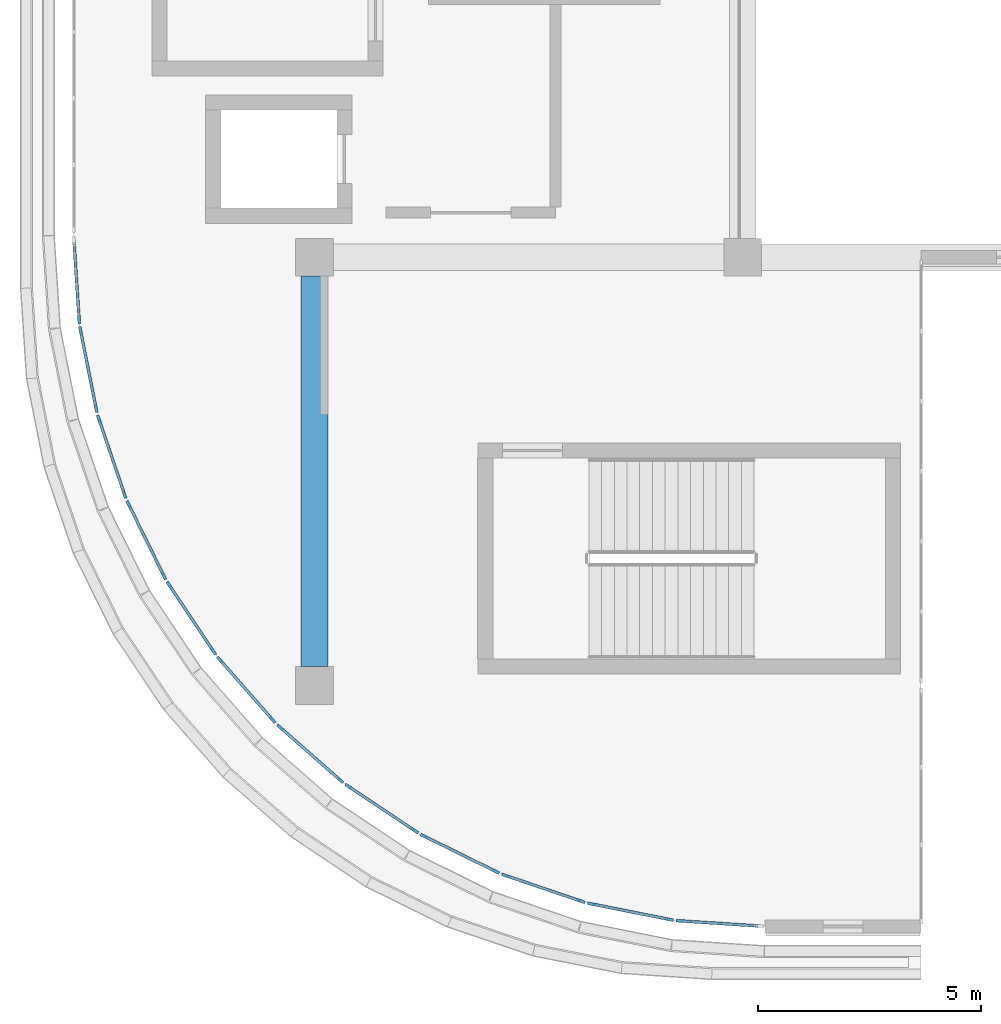
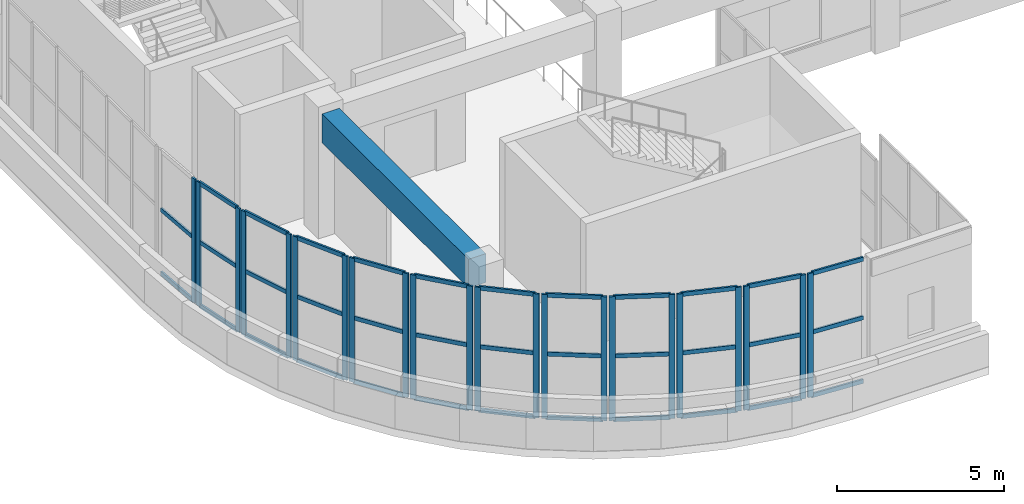
# One storey, part 2 of 67: 57 members, 1 beam, 12 elements without a shape of their own.
"""IFC4 building model written with IfcOpenShell, lengths in metres."""

from ifc_helpers import new_model, si_unit, direction, frame, origin, origin_2d, place, context, subcontext, project, spatial, rectangle, extrude, material, layer, layer_set, material_profile, profile_set, type_object, element, aggregate, save


model = new_model("IFC4")

# Units and contexts
model_context = context("Model", 3, precision=1e-05, world=origin(), true_north=direction((0.0, 1.0)))
body_context = subcontext(model_context, "Body", "Model", "MODEL_VIEW")
ifc_project = project(units=[si_unit("LENGTHUNIT", "METRE"), si_unit("AREAUNIT", "SQUARE_METRE"), si_unit("VOLUMEUNIT", "CUBIC_METRE"), si_unit("PLANEANGLEUNIT", "RADIAN"), si_unit("MASSUNIT", "GRAM", prefix="KILO")], contexts=[model_context])

# Site, building, storey
site_placement = place(None, origin())
site = spatial("IfcSite", under=ifc_project, at=site_placement, CompositionType="ELEMENT")
building_placement = place(site_placement, origin())
building = spatial("IfcBuilding", under=site, at=building_placement, Name="Cendralis Terraced Arcade", CompositionType="ELEMENT")
storey_placement = place(building_placement, frame((0.0, 0.0, 15.0)))
storey = spatial("IfcBuildingStorey", under=building, at=storey_placement, Name="L03", CompositionType="ELEMENT", Elevation=15.0)

# Beam
ifc_material_1 = material(Name="Concrete f'c 35 MPa", Category="concrete")
ifc_material_profile_1 = material_profile(ifc_material_1, rectangle(XDim=0.60009765625, YDim=1.050048828125, at=origin_2d()), Name="RC-BM-600x1050", Category="LoadBearing")
ifc_profile_set_1 = profile_set([ifc_material_profile_1], Name="Concrete f'c 35 MPa")
beam_type = type_object("IfcBeamType", Name="BM-600x1050", PredefinedType="JOIST", material=ifc_profile_set_1)
beam_placement = place(storey_placement, frame((9.60009765625, 10.02490234375, 3.9951171875), z_axis=(0.0, 1.0, 0.0), x_axis=(-1.0, 0.0, 0.0)))
element("IfcBeam", 1, at=beam_placement, inside=storey, type_object=beam_type, Name="Reinforced Concrete Frame Beam BM-Y-L04-2-B_C", PredefinedType="JOIST", context=body_context, shape_type="SweptSolid", body=[
    extrude(rectangle(XDim=0.60009765625, YDim=1.050048828125, at=origin_2d()), origin(), (0.0, 0.0, 1.0), 8.75),
])

# Curtain wall, member
ifc_material_2 = material(Name="Anodised aluminium EN AW-6063 T6", Category="aluminium")
ifc_layer = layer(ifc_material_2, 0.179931640625, Name="CW-UNIT-A")
ifc_layer_set = layer_set([ifc_layer], Name="Anodised aluminium EN AW-6063 T6")
curtain_wall_type = type_object("IfcCurtainWallType", Name="CW-UNIT-A", PredefinedType="USERDEFINED", material=ifc_layer_set)
curtain_wall_1_placement = place(storey_placement, origin())
curtain_wall_1 = element("IfcCurtainWall", 2, at=curtain_wall_1_placement, inside=storey, type_object=curtain_wall_type, Name="Exterior Unitised Facade CW-L03-0285", ObjectType="UNITISED FACADE", PredefinedType="USERDEFINED")
ifc_material_profile_2 = material_profile(ifc_material_2, rectangle(XDim=0.06494140625, YDim=0.179931640625, at=origin_2d()), Name="ALU-MUL-65x180")
ifc_profile_set_2 = profile_set([ifc_material_profile_2], Name="Anodised aluminium EN AW-6063 T6")
member_type_1 = type_object("IfcMemberType", Name="CW-UNIT-A-MUL", PredefinedType="MULLION", material=ifc_profile_set_2)
member_1_placement = place(storey_placement, frame((17.799072265625, 4.324462890625, 0.0), z_axis=(0.0, 0.0, 1.0), x_axis=(-0.065383766124, -0.997860192175, 0.0)))
member_1 = element("IfcMember", 3, at=member_1_placement, type_object=member_type_1, Name="CW-U1 mullion 2", PredefinedType="MULLION", context=body_context, shape_type="SweptSolid", body=[
    extrude(rectangle(XDim=0.06494140625, YDim=0.179931640625, at=origin_2d()), origin(), (0.0, 0.0, 1.0), 4.52001953125),
])

# Curtain wall, members
curtain_wall_2_placement = place(storey_placement, origin())
curtain_wall_2 = element("IfcCurtainWall", 4, at=curtain_wall_2_placement, inside=storey, type_object=curtain_wall_type, Name="Exterior Unitised Facade CW-L03-0286", ObjectType="UNITISED FACADE", PredefinedType="USERDEFINED")
member_2_placement = place(storey_placement, frame((17.556640625, 4.3564453125, 0.0), z_axis=(0.0, 0.0, 1.0), x_axis=(-0.195033398913, -0.980796601395, 0.0)))
member_2 = element("IfcMember", 5, at=member_2_placement, type_object=member_type_1, Name="CW-U1 mullion 1", PredefinedType="MULLION", context=body_context, shape_type="SweptSolid", body=[
    extrude(rectangle(XDim=0.06494140625, YDim=0.179931640625, at=origin_2d()), origin(), (0.0, 0.0, 1.0), 4.52001953125),
])
member_3_placement = place(storey_placement, frame((15.80859375, 4.7041015625, 0.0), z_axis=(0.0, 0.0, 1.0), x_axis=(-0.195033398913, -0.980796601395, 0.0)))
member_3 = element("IfcMember", 6, at=member_3_placement, type_object=member_type_1, Name="CW-U1 mullion 2", PredefinedType="MULLION", context=body_context, shape_type="SweptSolid", body=[
    extrude(rectangle(XDim=0.06494140625, YDim=0.179931640625, at=origin_2d()), origin(), (0.0, 0.0, 1.0), 4.52001953125),
])

curtain_wall_3_placement = place(storey_placement, origin())
curtain_wall_3 = element("IfcCurtainWall", 7, at=curtain_wall_3_placement, inside=storey, type_object=curtain_wall_type, Name="Exterior Unitised Facade CW-L03-0287", ObjectType="UNITISED FACADE", PredefinedType="USERDEFINED")
member_4_placement = place(storey_placement, frame((15.572265625, 4.767333984375, 0.0), z_axis=(0.0, 0.0, 1.0), x_axis=(-0.32150002033, -0.946909571674, 0.0)))
member_4 = element("IfcMember", 8, at=member_4_placement, type_object=member_type_1, Name="CW-U1 mullion 1", PredefinedType="MULLION", context=body_context, shape_type="SweptSolid", body=[
    extrude(rectangle(XDim=0.06494140625, YDim=0.179931640625, at=origin_2d()), origin(), (0.0, 0.0, 1.0), 4.52001953125),
])
member_5_placement = place(storey_placement, frame((13.88427734375, 5.340576171875, 0.0), z_axis=(0.0, 0.0, 1.0), x_axis=(-0.32150002033, -0.946909571674, 0.0)))
member_5 = element("IfcMember", 9, at=member_5_placement, type_object=member_type_1, Name="CW-U1 mullion 2", PredefinedType="MULLION", context=body_context, shape_type="SweptSolid", body=[
    extrude(rectangle(XDim=0.06494140625, YDim=0.179931640625, at=origin_2d()), origin(), (0.0, 0.0, 1.0), 4.52001953125),
])

curtain_wall_4_placement = place(storey_placement, origin())
curtain_wall_4 = element("IfcCurtainWall", 10, at=curtain_wall_4_placement, inside=storey, type_object=curtain_wall_type, Name="Exterior Unitised Facade CW-L03-0288", ObjectType="UNITISED FACADE", PredefinedType="USERDEFINED")
member_6_placement = place(storey_placement, frame((13.658447265625, 5.43408203125, 0.0), z_axis=(0.0, 0.0, 1.0), x_axis=(-0.442270416572, -0.896881752867, 0.0)))
member_6 = element("IfcMember", 11, at=member_6_placement, type_object=member_type_1, Name="CW-U1 mullion 1", PredefinedType="MULLION", context=body_context, shape_type="SweptSolid", body=[
    extrude(rectangle(XDim=0.06494140625, YDim=0.179931640625, at=origin_2d()), origin(), (0.0, 0.0, 1.0), 4.52001953125),
])
member_7_placement = place(storey_placement, frame((12.059814453125, 6.222412109375, 0.0), z_axis=(0.0, 0.0, 1.0), x_axis=(-0.442270416572, -0.896881752867, 0.0)))
member_7 = element("IfcMember", 12, at=member_7_placement, type_object=member_type_1, Name="CW-U1 mullion 2", PredefinedType="MULLION", context=body_context, shape_type="SweptSolid", body=[
    extrude(rectangle(XDim=0.06494140625, YDim=0.179931640625, at=origin_2d()), origin(), (0.0, 0.0, 1.0), 4.52001953125),
])

curtain_wall_5_placement = place(storey_placement, origin())
curtain_wall_5 = element("IfcCurtainWall", 13, at=curtain_wall_5_placement, inside=storey, type_object=curtain_wall_type, Name="Exterior Unitised Facade CW-L03-0289", ObjectType="UNITISED FACADE", PredefinedType="USERDEFINED")
member_8_placement = place(storey_placement, frame((11.84814453125, 6.3447265625, 0.0), z_axis=(0.0, 0.0, 1.0), x_axis=(-0.555549269065, -0.831483619587, 0.0)))
member_8 = element("IfcMember", 14, at=member_8_placement, type_object=member_type_1, Name="CW-U1 mullion 1", PredefinedType="MULLION", context=body_context, shape_type="SweptSolid", body=[
    extrude(rectangle(XDim=0.06494140625, YDim=0.179931640625, at=origin_2d()), origin(), (0.0, 0.0, 1.0), 4.52001953125),
])
member_9_placement = place(storey_placement, frame((10.365966796875, 7.3349609375, 0.0), z_axis=(0.0, 0.0, 1.0), x_axis=(-0.555549269065, -0.831483619587, 0.0)))
member_9 = element("IfcMember", 15, at=member_9_placement, type_object=member_type_1, Name="CW-U1 mullion 2", PredefinedType="MULLION", context=body_context, shape_type="SweptSolid", body=[
    extrude(rectangle(XDim=0.06494140625, YDim=0.179931640625, at=origin_2d()), origin(), (0.0, 0.0, 1.0), 4.52001953125),
])

curtain_wall_6_placement = place(storey_placement, origin())
curtain_wall_6 = element("IfcCurtainWall", 16, at=curtain_wall_6_placement, inside=storey, type_object=curtain_wall_type, Name="Exterior Unitised Facade CW-L03-0290", ObjectType="UNITISED FACADE", PredefinedType="USERDEFINED")
member_10_placement = place(storey_placement, frame((10.172119140625, 7.483642578125, 0.0), z_axis=(0.0, 0.0, 1.0), x_axis=(-0.659370197402, -0.751818424075, 0.0)))
member_10 = element("IfcMember", 17, at=member_10_placement, type_object=member_type_1, Name="CW-U1 mullion 1", PredefinedType="MULLION", context=body_context, shape_type="SweptSolid", body=[
    extrude(rectangle(XDim=0.06494140625, YDim=0.179931640625, at=origin_2d()), origin(), (0.0, 0.0, 1.0), 4.52001953125),
])
member_11_placement = place(storey_placement, frame((8.83203125, 8.6591796875, 0.0), z_axis=(0.0, 0.0, 1.0), x_axis=(-0.659370197402, -0.751818424075, 0.0)))
member_11 = element("IfcMember", 18, at=member_11_placement, type_object=member_type_1, Name="CW-U1 mullion 2", PredefinedType="MULLION", context=body_context, shape_type="SweptSolid", body=[
    extrude(rectangle(XDim=0.06494140625, YDim=0.179931640625, at=origin_2d()), origin(), (0.0, 0.0, 1.0), 4.52001953125),
])

curtain_wall_7_placement = place(storey_placement, origin())
curtain_wall_7 = element("IfcCurtainWall", 19, at=curtain_wall_7_placement, inside=storey, type_object=curtain_wall_type, Name="Exterior Unitised Facade CW-L03-0291", ObjectType="UNITISED FACADE", PredefinedType="USERDEFINED")
member_12_placement = place(storey_placement, frame((8.6591796875, 8.83203125, 0.0), z_axis=(0.0, 0.0, 1.0), x_axis=(-0.751818424075, -0.659370197402, 0.0)))
member_12 = element("IfcMember", 20, at=member_12_placement, type_object=member_type_1, Name="CW-U1 mullion 1", PredefinedType="MULLION", context=body_context, shape_type="SweptSolid", body=[
    extrude(rectangle(XDim=0.06494140625, YDim=0.179931640625, at=origin_2d()), origin(), (0.0, 0.0, 1.0), 4.52001953125),
])
member_13_placement = place(storey_placement, frame((7.483642578125, 10.172119140625, 0.0), z_axis=(0.0, 0.0, 1.0), x_axis=(-0.751818424075, -0.659370197402, 0.0)))
member_13 = element("IfcMember", 21, at=member_13_placement, type_object=member_type_1, Name="CW-U1 mullion 2", PredefinedType="MULLION", context=body_context, shape_type="SweptSolid", body=[
    extrude(rectangle(XDim=0.06494140625, YDim=0.179931640625, at=origin_2d()), origin(), (0.0, 0.0, 1.0), 4.52001953125),
])

curtain_wall_8_placement = place(storey_placement, origin())
curtain_wall_8 = element("IfcCurtainWall", 22, at=curtain_wall_8_placement, inside=storey, type_object=curtain_wall_type, Name="Exterior Unitised Facade CW-L03-0292", ObjectType="UNITISED FACADE", PredefinedType="USERDEFINED")
member_14_placement = place(storey_placement, frame((7.3349609375, 10.365966796875, 0.0), z_axis=(0.0, 0.0, 1.0), x_axis=(-0.831483619587, -0.555549269065, 0.0)))
member_14 = element("IfcMember", 23, at=member_14_placement, type_object=member_type_1, Name="CW-U1 mullion 1", PredefinedType="MULLION", context=body_context, shape_type="SweptSolid", body=[
    extrude(rectangle(XDim=0.06494140625, YDim=0.179931640625, at=origin_2d()), origin(), (0.0, 0.0, 1.0), 4.52001953125),
])
member_15_placement = place(storey_placement, frame((6.3447265625, 11.84814453125, 0.0), z_axis=(0.0, 0.0, 1.0), x_axis=(-0.831483619587, -0.555549269065, 0.0)))
member_15 = element("IfcMember", 24, at=member_15_placement, type_object=member_type_1, Name="CW-U1 mullion 2", PredefinedType="MULLION", context=body_context, shape_type="SweptSolid", body=[
    extrude(rectangle(XDim=0.06494140625, YDim=0.179931640625, at=origin_2d()), origin(), (0.0, 0.0, 1.0), 4.52001953125),
])

curtain_wall_9_placement = place(storey_placement, origin())
curtain_wall_9 = element("IfcCurtainWall", 25, at=curtain_wall_9_placement, inside=storey, type_object=curtain_wall_type, Name="Exterior Unitised Facade CW-L03-0293", ObjectType="UNITISED FACADE", PredefinedType="USERDEFINED")
member_16_placement = place(storey_placement, frame((6.222412109375, 12.059814453125, 0.0), z_axis=(0.0, 0.0, 1.0), x_axis=(-0.896881752867, -0.442270416572, 0.0)))
member_16 = element("IfcMember", 26, at=member_16_placement, type_object=member_type_1, Name="CW-U1 mullion 1", PredefinedType="MULLION", context=body_context, shape_type="SweptSolid", body=[
    extrude(rectangle(XDim=0.06494140625, YDim=0.179931640625, at=origin_2d()), origin(), (0.0, 0.0, 1.0), 4.52001953125),
])
member_17_placement = place(storey_placement, frame((5.43408203125, 13.658447265625, 0.0), z_axis=(0.0, 0.0, 1.0), x_axis=(-0.896881752867, -0.442270416572, 0.0)))
member_17 = element("IfcMember", 27, at=member_17_placement, type_object=member_type_1, Name="CW-U1 mullion 2", PredefinedType="MULLION", context=body_context, shape_type="SweptSolid", body=[
    extrude(rectangle(XDim=0.06494140625, YDim=0.179931640625, at=origin_2d()), origin(), (0.0, 0.0, 1.0), 4.52001953125),
])

curtain_wall_10_placement = place(storey_placement, origin())
curtain_wall_10 = element("IfcCurtainWall", 28, at=curtain_wall_10_placement, inside=storey, type_object=curtain_wall_type, Name="Exterior Unitised Facade CW-L03-0294", ObjectType="UNITISED FACADE", PredefinedType="USERDEFINED")
member_18_placement = place(storey_placement, frame((5.340576171875, 13.88427734375, 0.0), z_axis=(0.0, 0.0, 1.0), x_axis=(-0.946909571674, -0.32150002033, 0.0)))
member_18 = element("IfcMember", 29, at=member_18_placement, type_object=member_type_1, Name="CW-U1 mullion 1", PredefinedType="MULLION", context=body_context, shape_type="SweptSolid", body=[
    extrude(rectangle(XDim=0.06494140625, YDim=0.179931640625, at=origin_2d()), origin(), (0.0, 0.0, 1.0), 4.52001953125),
])
member_19_placement = place(storey_placement, frame((4.767333984375, 15.572265625, 0.0), z_axis=(0.0, 0.0, 1.0), x_axis=(-0.946909571674, -0.32150002033, 0.0)))
member_19 = element("IfcMember", 30, at=member_19_placement, type_object=member_type_1, Name="CW-U1 mullion 2", PredefinedType="MULLION", context=body_context, shape_type="SweptSolid", body=[
    extrude(rectangle(XDim=0.06494140625, YDim=0.179931640625, at=origin_2d()), origin(), (0.0, 0.0, 1.0), 4.52001953125),
])

curtain_wall_11_placement = place(storey_placement, origin())
curtain_wall_11 = element("IfcCurtainWall", 31, at=curtain_wall_11_placement, inside=storey, type_object=curtain_wall_type, Name="Exterior Unitised Facade CW-L03-0295", ObjectType="UNITISED FACADE", PredefinedType="USERDEFINED")
member_20_placement = place(storey_placement, frame((4.7041015625, 15.80859375, 0.0), z_axis=(0.0, 0.0, 1.0), x_axis=(-0.980796601395, -0.195033398913, 0.0)))
member_20 = element("IfcMember", 32, at=member_20_placement, type_object=member_type_1, Name="CW-U1 mullion 1", PredefinedType="MULLION", context=body_context, shape_type="SweptSolid", body=[
    extrude(rectangle(XDim=0.06494140625, YDim=0.179931640625, at=origin_2d()), origin(), (0.0, 0.0, 1.0), 4.52001953125),
])
member_21_placement = place(storey_placement, frame((4.3564453125, 17.556640625, 0.0), z_axis=(0.0, 0.0, 1.0), x_axis=(-0.980796601395, -0.195033398913, 0.0)))
member_21 = element("IfcMember", 33, at=member_21_placement, type_object=member_type_1, Name="CW-U1 mullion 2", PredefinedType="MULLION", context=body_context, shape_type="SweptSolid", body=[
    extrude(rectangle(XDim=0.06494140625, YDim=0.179931640625, at=origin_2d()), origin(), (0.0, 0.0, 1.0), 4.52001953125),
])

# Curtain wall, member
curtain_wall_12_placement = place(storey_placement, origin())
curtain_wall_12 = element("IfcCurtainWall", 34, at=curtain_wall_12_placement, inside=storey, type_object=curtain_wall_type, Name="Exterior Unitised Facade CW-L03-0296", ObjectType="UNITISED FACADE", PredefinedType="USERDEFINED")
member_22_placement = place(storey_placement, frame((4.324462890625, 17.799072265625, 0.0), z_axis=(0.0, 0.0, 1.0), x_axis=(-0.997860192175, -0.065383766124, 0.0)))
member_22 = element("IfcMember", 35, at=member_22_placement, type_object=member_type_1, Name="CW-U1 mullion 1", PredefinedType="MULLION", context=body_context, shape_type="SweptSolid", body=[
    extrude(rectangle(XDim=0.06494140625, YDim=0.179931640625, at=origin_2d()), origin(), (0.0, 0.0, 1.0), 4.52001953125),
])

# Member
ifc_material_profile_3 = material_profile(ifc_material_2, rectangle(XDim=0.06494140625, YDim=0.14990234375, at=origin_2d()), Name="ALU-TRN-65x150")
ifc_profile_set_3 = profile_set([ifc_material_profile_3], Name="Anodised aluminium EN AW-6063 T6")
member_type_2 = type_object("IfcMemberType", Name="CW-UNIT-A-TRN", PredefinedType="USERDEFINED", material=ifc_profile_set_3)
member_23_placement = place(storey_placement, frame((19.54541015625, 4.210205078125, 0.032470703125), z_axis=(-0.997859990953, 0.065386837014, 0.0), x_axis=(-0.065386837014, -0.997859990953, 0.0)))
member_23 = element("IfcMember", 36, at=member_23_placement, type_object=member_type_2, Name="CW-U1 transom 1.1", ObjectType="TRANSOM", PredefinedType="USERDEFINED", context=body_context, shape_type="SweptSolid", body=[
    extrude(rectangle(XDim=0.06494140625, YDim=0.14990234375, at=origin_2d()), origin(), (0.0, 0.0, 1.0), 1.717529296875),
])

member_24_placement = place(storey_placement, frame((19.54541015625, 4.210205078125, 2.350341796875), z_axis=(-0.997859990953, 0.065386837014, 0.0), x_axis=(-0.065386837014, -0.997859990953, 0.0)))
member_24 = element("IfcMember", 37, at=member_24_placement, type_object=member_type_2, Name="CW-U1 transom 1.2", ObjectType="TRANSOM", PredefinedType="USERDEFINED", context=body_context, shape_type="SweptSolid", body=[
    extrude(rectangle(XDim=0.06494140625, YDim=0.14990234375, at=origin_2d()), origin(), (0.0, 0.0, 1.0), 1.717529296875),
])

member_25_placement = place(storey_placement, frame((19.54541015625, 4.210205078125, 4.487548828125), z_axis=(-0.997859990953, 0.065386837014, 0.0), x_axis=(-0.065386837014, -0.997859990953, 0.0)))
member_25 = element("IfcMember", 38, at=member_25_placement, type_object=member_type_2, Name="CW-U1 transom 1.3", ObjectType="TRANSOM", PredefinedType="USERDEFINED", context=body_context, shape_type="SweptSolid", body=[
    extrude(rectangle(XDim=0.06494140625, YDim=0.14990234375, at=origin_2d()), origin(), (0.0, 0.0, 1.0), 1.717529296875),
])

aggregate(curtain_wall_1, [member_1, member_23, member_24, member_25])

member_26_placement = place(storey_placement, frame((17.524658203125, 4.36279296875, 0.032470703125), z_axis=(-0.980793342855, 0.195049784954, 0.0), x_axis=(-0.195049784954, -0.980793342855, 0.0)))
member_26 = element("IfcMember", 39, at=member_26_placement, type_object=member_type_2, Name="CW-U1 transom 1.1", ObjectType="TRANSOM", PredefinedType="USERDEFINED", context=body_context, shape_type="SweptSolid", body=[
    extrude(rectangle(XDim=0.06494140625, YDim=0.14990234375, at=origin_2d()), origin(), (0.0, 0.0, 1.0), 1.71728515625),
])

member_27_placement = place(storey_placement, frame((17.524658203125, 4.36279296875, 2.350341796875), z_axis=(-0.980793342855, 0.195049784954, 0.0), x_axis=(-0.195049784954, -0.980793342855, 0.0)))
member_27 = element("IfcMember", 40, at=member_27_placement, type_object=member_type_2, Name="CW-U1 transom 1.2", ObjectType="TRANSOM", PredefinedType="USERDEFINED", context=body_context, shape_type="SweptSolid", body=[
    extrude(rectangle(XDim=0.06494140625, YDim=0.14990234375, at=origin_2d()), origin(), (0.0, 0.0, 1.0), 1.71728515625),
])

member_28_placement = place(storey_placement, frame((17.524658203125, 4.36279296875, 4.487548828125), z_axis=(-0.980793342855, 0.195049784954, 0.0), x_axis=(-0.195049784954, -0.980793342855, 0.0)))
member_28 = element("IfcMember", 41, at=member_28_placement, type_object=member_type_2, Name="CW-U1 transom 1.3", ObjectType="TRANSOM", PredefinedType="USERDEFINED", context=body_context, shape_type="SweptSolid", body=[
    extrude(rectangle(XDim=0.06494140625, YDim=0.14990234375, at=origin_2d()), origin(), (0.0, 0.0, 1.0), 1.71728515625),
])

aggregate(curtain_wall_2, [member_2, member_3, member_26, member_27, member_28])

member_29_placement = place(storey_placement, frame((15.54150390625, 4.77783203125, 0.032470703125), z_axis=(-0.946906084256, 0.321510291592, 0.0), x_axis=(-0.321510291592, -0.946906084256, 0.0)))
member_29 = element("IfcMember", 42, at=member_29_placement, type_object=member_type_2, Name="CW-U1 transom 1.1", ObjectType="TRANSOM", PredefinedType="USERDEFINED", context=body_context, shape_type="SweptSolid", body=[
    extrude(rectangle(XDim=0.06494140625, YDim=0.14990234375, at=origin_2d()), origin(), (0.0, 0.0, 1.0), 1.7177734375),
])

member_30_placement = place(storey_placement, frame((15.54150390625, 4.77783203125, 2.350341796875), z_axis=(-0.946906084256, 0.321510291592, 0.0), x_axis=(-0.321510291592, -0.946906084256, 0.0)))
member_30 = element("IfcMember", 43, at=member_30_placement, type_object=member_type_2, Name="CW-U1 transom 1.2", ObjectType="TRANSOM", PredefinedType="USERDEFINED", context=body_context, shape_type="SweptSolid", body=[
    extrude(rectangle(XDim=0.06494140625, YDim=0.14990234375, at=origin_2d()), origin(), (0.0, 0.0, 1.0), 1.7177734375),
])

member_31_placement = place(storey_placement, frame((15.54150390625, 4.77783203125, 4.487548828125), z_axis=(-0.946906084256, 0.321510291592, 0.0), x_axis=(-0.321510291592, -0.946906084256, 0.0)))
member_31 = element("IfcMember", 44, at=member_31_placement, type_object=member_type_2, Name="CW-U1 transom 1.3", ObjectType="TRANSOM", PredefinedType="USERDEFINED", context=body_context, shape_type="SweptSolid", body=[
    extrude(rectangle(XDim=0.06494140625, YDim=0.14990234375, at=origin_2d()), origin(), (0.0, 0.0, 1.0), 1.7177734375),
])

aggregate(curtain_wall_3, [member_4, member_5, member_29, member_30, member_31])

member_32_placement = place(storey_placement, frame((13.62939453125, 5.448486328125, 0.032470703125), z_axis=(-0.896887092302, 0.442259588548, 0.0), x_axis=(-0.442259588548, -0.896887092302, 0.0)))
member_32 = element("IfcMember", 45, at=member_32_placement, type_object=member_type_2, Name="CW-U1 transom 1.1", ObjectType="TRANSOM", PredefinedType="USERDEFINED", context=body_context, shape_type="SweptSolid", body=[
    extrude(rectangle(XDim=0.06494140625, YDim=0.14990234375, at=origin_2d()), origin(), (0.0, 0.0, 1.0), 1.71728515625),
])

member_33_placement = place(storey_placement, frame((13.62939453125, 5.448486328125, 2.350341796875), z_axis=(-0.896887092302, 0.442259588548, 0.0), x_axis=(-0.442259588548, -0.896887092302, 0.0)))
member_33 = element("IfcMember", 46, at=member_33_placement, type_object=member_type_2, Name="CW-U1 transom 1.2", ObjectType="TRANSOM", PredefinedType="USERDEFINED", context=body_context, shape_type="SweptSolid", body=[
    extrude(rectangle(XDim=0.06494140625, YDim=0.14990234375, at=origin_2d()), origin(), (0.0, 0.0, 1.0), 1.71728515625),
])

member_34_placement = place(storey_placement, frame((13.62939453125, 5.448486328125, 4.487548828125), z_axis=(-0.896887092302, 0.442259588548, 0.0), x_axis=(-0.442259588548, -0.896887092302, 0.0)))
member_34 = element("IfcMember", 47, at=member_34_placement, type_object=member_type_2, Name="CW-U1 transom 1.3", ObjectType="TRANSOM", PredefinedType="USERDEFINED", context=body_context, shape_type="SweptSolid", body=[
    extrude(rectangle(XDim=0.06494140625, YDim=0.14990234375, at=origin_2d()), origin(), (0.0, 0.0, 1.0), 1.71728515625),
])

aggregate(curtain_wall_4, [member_6, member_7, member_32, member_33, member_34])

member_35_placement = place(storey_placement, frame((11.821044921875, 6.36279296875, 0.032470703125), z_axis=(-0.83148122578, 0.555552851829, 0.0), x_axis=(-0.555552851829, -0.83148122578, 0.0)))
member_35 = element("IfcMember", 48, at=member_35_placement, type_object=member_type_2, Name="CW-U1 transom 1.1", ObjectType="TRANSOM", PredefinedType="USERDEFINED", context=body_context, shape_type="SweptSolid", body=[
    extrude(rectangle(XDim=0.06494140625, YDim=0.14990234375, at=origin_2d()), origin(), (0.0, 0.0, 1.0), 1.71728515625),
])

member_36_placement = place(storey_placement, frame((11.821044921875, 6.36279296875, 2.350341796875), z_axis=(-0.83148122578, 0.555552851829, 0.0), x_axis=(-0.555552851829, -0.83148122578, 0.0)))
member_36 = element("IfcMember", 49, at=member_36_placement, type_object=member_type_2, Name="CW-U1 transom 1.2", ObjectType="TRANSOM", PredefinedType="USERDEFINED", context=body_context, shape_type="SweptSolid", body=[
    extrude(rectangle(XDim=0.06494140625, YDim=0.14990234375, at=origin_2d()), origin(), (0.0, 0.0, 1.0), 1.71728515625),
])

member_37_placement = place(storey_placement, frame((11.821044921875, 6.36279296875, 4.487548828125), z_axis=(-0.83148122578, 0.555552851829, 0.0), x_axis=(-0.555552851829, -0.83148122578, 0.0)))
member_37 = element("IfcMember", 50, at=member_37_placement, type_object=member_type_2, Name="CW-U1 transom 1.3", ObjectType="TRANSOM", PredefinedType="USERDEFINED", context=body_context, shape_type="SweptSolid", body=[
    extrude(rectangle(XDim=0.06494140625, YDim=0.14990234375, at=origin_2d()), origin(), (0.0, 0.0, 1.0), 1.71728515625),
])

aggregate(curtain_wall_5, [member_8, member_9, member_35, member_36, member_37])

member_38_placement = place(storey_placement, frame((10.147705078125, 7.505126953125, 0.032470703125), z_axis=(-0.751792490336, 0.659399766056, 0.0), x_axis=(-0.659399766056, -0.751792490336, 0.0)))
member_38 = element("IfcMember", 51, at=member_38_placement, type_object=member_type_2, Name="CW-U1 transom 1.1", ObjectType="TRANSOM", PredefinedType="USERDEFINED", context=body_context, shape_type="SweptSolid", body=[
    extrude(rectangle(XDim=0.06494140625, YDim=0.14990234375, at=origin_2d()), origin(), (0.0, 0.0, 1.0), 1.717529296875),
])

member_39_placement = place(storey_placement, frame((10.147705078125, 7.505126953125, 2.350341796875), z_axis=(-0.751792490336, 0.659399766056, 0.0), x_axis=(-0.659399766056, -0.751792490336, 0.0)))
member_39 = element("IfcMember", 52, at=member_39_placement, type_object=member_type_2, Name="CW-U1 transom 1.2", ObjectType="TRANSOM", PredefinedType="USERDEFINED", context=body_context, shape_type="SweptSolid", body=[
    extrude(rectangle(XDim=0.06494140625, YDim=0.14990234375, at=origin_2d()), origin(), (0.0, 0.0, 1.0), 1.717529296875),
])

member_40_placement = place(storey_placement, frame((10.147705078125, 7.505126953125, 4.487548828125), z_axis=(-0.751792490336, 0.659399766056, 0.0), x_axis=(-0.659399766056, -0.751792490336, 0.0)))
member_40 = element("IfcMember", 53, at=member_40_placement, type_object=member_type_2, Name="CW-U1 transom 1.3", ObjectType="TRANSOM", PredefinedType="USERDEFINED", context=body_context, shape_type="SweptSolid", body=[
    extrude(rectangle(XDim=0.06494140625, YDim=0.14990234375, at=origin_2d()), origin(), (0.0, 0.0, 1.0), 1.717529296875),
])

aggregate(curtain_wall_6, [member_10, member_11, member_38, member_39, member_40])

member_41_placement = place(storey_placement, frame((8.6376953125, 8.8564453125, 0.032470703125), z_axis=(-0.659399766056, 0.751792490336, 0.0), x_axis=(-0.751792490336, -0.659399766056, 0.0)))
member_41 = element("IfcMember", 54, at=member_41_placement, type_object=member_type_2, Name="CW-U1 transom 1.1", ObjectType="TRANSOM", PredefinedType="USERDEFINED", context=body_context, shape_type="SweptSolid", body=[
    extrude(rectangle(XDim=0.06494140625, YDim=0.14990234375, at=origin_2d()), origin(), (0.0, 0.0, 1.0), 1.717529296875),
])

member_42_placement = place(storey_placement, frame((8.6376953125, 8.8564453125, 2.350341796875), z_axis=(-0.659399766056, 0.751792490336, 0.0), x_axis=(-0.751792490336, -0.659399766056, 0.0)))
member_42 = element("IfcMember", 55, at=member_42_placement, type_object=member_type_2, Name="CW-U1 transom 1.2", ObjectType="TRANSOM", PredefinedType="USERDEFINED", context=body_context, shape_type="SweptSolid", body=[
    extrude(rectangle(XDim=0.06494140625, YDim=0.14990234375, at=origin_2d()), origin(), (0.0, 0.0, 1.0), 1.717529296875),
])

member_43_placement = place(storey_placement, frame((8.6376953125, 8.8564453125, 4.487548828125), z_axis=(-0.659399766056, 0.751792490336, 0.0), x_axis=(-0.751792490336, -0.659399766056, 0.0)))
member_43 = element("IfcMember", 56, at=member_43_placement, type_object=member_type_2, Name="CW-U1 transom 1.3", ObjectType="TRANSOM", PredefinedType="USERDEFINED", context=body_context, shape_type="SweptSolid", body=[
    extrude(rectangle(XDim=0.06494140625, YDim=0.14990234375, at=origin_2d()), origin(), (0.0, 0.0, 1.0), 1.717529296875),
])

aggregate(curtain_wall_7, [member_12, member_13, member_41, member_42, member_43])

member_44_placement = place(storey_placement, frame((7.31689453125, 10.39306640625, 0.032470703125), z_axis=(-0.555552851829, 0.83148122578, 0.0), x_axis=(-0.83148122578, -0.555552851829, 0.0)))
member_44 = element("IfcMember", 57, at=member_44_placement, type_object=member_type_2, Name="CW-U1 transom 1.1", ObjectType="TRANSOM", PredefinedType="USERDEFINED", context=body_context, shape_type="SweptSolid", body=[
    extrude(rectangle(XDim=0.06494140625, YDim=0.14990234375, at=origin_2d()), origin(), (0.0, 0.0, 1.0), 1.71728515625),
])

member_45_placement = place(storey_placement, frame((7.31689453125, 10.39306640625, 2.350341796875), z_axis=(-0.555552851829, 0.83148122578, 0.0), x_axis=(-0.83148122578, -0.555552851829, 0.0)))
member_45 = element("IfcMember", 58, at=member_45_placement, type_object=member_type_2, Name="CW-U1 transom 1.2", ObjectType="TRANSOM", PredefinedType="USERDEFINED", context=body_context, shape_type="SweptSolid", body=[
    extrude(rectangle(XDim=0.06494140625, YDim=0.14990234375, at=origin_2d()), origin(), (0.0, 0.0, 1.0), 1.71728515625),
])

member_46_placement = place(storey_placement, frame((7.31689453125, 10.39306640625, 4.487548828125), z_axis=(-0.555552851829, 0.83148122578, 0.0), x_axis=(-0.83148122578, -0.555552851829, 0.0)))
member_46 = element("IfcMember", 59, at=member_46_placement, type_object=member_type_2, Name="CW-U1 transom 1.3", ObjectType="TRANSOM", PredefinedType="USERDEFINED", context=body_context, shape_type="SweptSolid", body=[
    extrude(rectangle(XDim=0.06494140625, YDim=0.14990234375, at=origin_2d()), origin(), (0.0, 0.0, 1.0), 1.71728515625),
])

aggregate(curtain_wall_8, [member_14, member_15, member_44, member_45, member_46])

member_47_placement = place(storey_placement, frame((6.2080078125, 12.089111328125, 0.032470703125), z_axis=(-0.442259588548, 0.896887092302, 0.0), x_axis=(-0.896887092302, -0.442259588548, 0.0)))
member_47 = element("IfcMember", 60, at=member_47_placement, type_object=member_type_2, Name="CW-U1 transom 1.1", ObjectType="TRANSOM", PredefinedType="USERDEFINED", context=body_context, shape_type="SweptSolid", body=[
    extrude(rectangle(XDim=0.06494140625, YDim=0.14990234375, at=origin_2d()), origin(), (0.0, 0.0, 1.0), 1.71728515625),
])

member_48_placement = place(storey_placement, frame((6.2080078125, 12.089111328125, 2.350341796875), z_axis=(-0.442259588548, 0.896887092302, 0.0), x_axis=(-0.896887092302, -0.442259588548, 0.0)))
member_48 = element("IfcMember", 61, at=member_48_placement, type_object=member_type_2, Name="CW-U1 transom 1.2", ObjectType="TRANSOM", PredefinedType="USERDEFINED", context=body_context, shape_type="SweptSolid", body=[
    extrude(rectangle(XDim=0.06494140625, YDim=0.14990234375, at=origin_2d()), origin(), (0.0, 0.0, 1.0), 1.71728515625),
])

member_49_placement = place(storey_placement, frame((6.2080078125, 12.089111328125, 4.487548828125), z_axis=(-0.442259588548, 0.896887092302, 0.0), x_axis=(-0.896887092302, -0.442259588548, 0.0)))
member_49 = element("IfcMember", 62, at=member_49_placement, type_object=member_type_2, Name="CW-U1 transom 1.3", ObjectType="TRANSOM", PredefinedType="USERDEFINED", context=body_context, shape_type="SweptSolid", body=[
    extrude(rectangle(XDim=0.06494140625, YDim=0.14990234375, at=origin_2d()), origin(), (0.0, 0.0, 1.0), 1.71728515625),
])

aggregate(curtain_wall_9, [member_16, member_17, member_47, member_48, member_49])

member_50_placement = place(storey_placement, frame((5.330078125, 13.9150390625, 0.032470703125), z_axis=(-0.321510291592, 0.946906084256, 0.0), x_axis=(-0.946906084256, -0.321510291592, 0.0)))
member_50 = element("IfcMember", 63, at=member_50_placement, type_object=member_type_2, Name="CW-U1 transom 1.1", ObjectType="TRANSOM", PredefinedType="USERDEFINED", context=body_context, shape_type="SweptSolid", body=[
    extrude(rectangle(XDim=0.06494140625, YDim=0.14990234375, at=origin_2d()), origin(), (0.0, 0.0, 1.0), 1.7177734375),
])

member_51_placement = place(storey_placement, frame((5.330078125, 13.9150390625, 2.350341796875), z_axis=(-0.321510291592, 0.946906084256, 0.0), x_axis=(-0.946906084256, -0.321510291592, 0.0)))
member_51 = element("IfcMember", 64, at=member_51_placement, type_object=member_type_2, Name="CW-U1 transom 1.2", ObjectType="TRANSOM", PredefinedType="USERDEFINED", context=body_context, shape_type="SweptSolid", body=[
    extrude(rectangle(XDim=0.06494140625, YDim=0.14990234375, at=origin_2d()), origin(), (0.0, 0.0, 1.0), 1.7177734375),
])

member_52_placement = place(storey_placement, frame((5.330078125, 13.9150390625, 4.487548828125), z_axis=(-0.321510291592, 0.946906084256, 0.0), x_axis=(-0.946906084256, -0.321510291592, 0.0)))
member_52 = element("IfcMember", 65, at=member_52_placement, type_object=member_type_2, Name="CW-U1 transom 1.3", ObjectType="TRANSOM", PredefinedType="USERDEFINED", context=body_context, shape_type="SweptSolid", body=[
    extrude(rectangle(XDim=0.06494140625, YDim=0.14990234375, at=origin_2d()), origin(), (0.0, 0.0, 1.0), 1.7177734375),
])

aggregate(curtain_wall_10, [member_18, member_19, member_50, member_51, member_52])

member_53_placement = place(storey_placement, frame((4.69775390625, 15.84033203125, 0.032470703125), z_axis=(-0.195049784954, 0.980793342855, 0.0), x_axis=(-0.980793342855, -0.195049784954, 0.0)))
member_53 = element("IfcMember", 66, at=member_53_placement, type_object=member_type_2, Name="CW-U1 transom 1.1", ObjectType="TRANSOM", PredefinedType="USERDEFINED", context=body_context, shape_type="SweptSolid", body=[
    extrude(rectangle(XDim=0.06494140625, YDim=0.14990234375, at=origin_2d()), origin(), (0.0, 0.0, 1.0), 1.71728515625),
])

member_54_placement = place(storey_placement, frame((4.69775390625, 15.84033203125, 2.350341796875), z_axis=(-0.195049784954, 0.980793342855, 0.0), x_axis=(-0.980793342855, -0.195049784954, 0.0)))
member_54 = element("IfcMember", 67, at=member_54_placement, type_object=member_type_2, Name="CW-U1 transom 1.2", ObjectType="TRANSOM", PredefinedType="USERDEFINED", context=body_context, shape_type="SweptSolid", body=[
    extrude(rectangle(XDim=0.06494140625, YDim=0.14990234375, at=origin_2d()), origin(), (0.0, 0.0, 1.0), 1.71728515625),
])

member_55_placement = place(storey_placement, frame((4.69775390625, 15.84033203125, 4.487548828125), z_axis=(-0.195049784954, 0.980793342855, 0.0), x_axis=(-0.980793342855, -0.195049784954, 0.0)))
member_55 = element("IfcMember", 68, at=member_55_placement, type_object=member_type_2, Name="CW-U1 transom 1.3", ObjectType="TRANSOM", PredefinedType="USERDEFINED", context=body_context, shape_type="SweptSolid", body=[
    extrude(rectangle(XDim=0.06494140625, YDim=0.14990234375, at=origin_2d()), origin(), (0.0, 0.0, 1.0), 1.71728515625),
])

aggregate(curtain_wall_11, [member_20, member_21, member_53, member_54, member_55])

member_56_placement = place(storey_placement, frame((4.322509765625, 17.83154296875, 0.032470703125), z_axis=(-0.065386837014, 0.997859990953, 0.0), x_axis=(-0.997859990953, -0.065386837014, 0.0)))
member_56 = element("IfcMember", 69, at=member_56_placement, type_object=member_type_2, Name="CW-U1 transom 1.1", ObjectType="TRANSOM", PredefinedType="USERDEFINED", context=body_context, shape_type="SweptSolid", body=[
    extrude(rectangle(XDim=0.06494140625, YDim=0.14990234375, at=origin_2d()), origin(), (0.0, 0.0, 1.0), 1.717529296875),
])

member_57_placement = place(storey_placement, frame((4.322509765625, 17.83154296875, 2.350341796875), z_axis=(-0.065386837014, 0.997859990953, 0.0), x_axis=(-0.997859990953, -0.065386837014, 0.0)))
member_57 = element("IfcMember", 70, at=member_57_placement, type_object=member_type_2, Name="CW-U1 transom 1.2", ObjectType="TRANSOM", PredefinedType="USERDEFINED", context=body_context, shape_type="SweptSolid", body=[
    extrude(rectangle(XDim=0.06494140625, YDim=0.14990234375, at=origin_2d()), origin(), (0.0, 0.0, 1.0), 1.717529296875),
])

aggregate(curtain_wall_12, [member_22, member_56, member_57])

save(model, "model.ifc")
